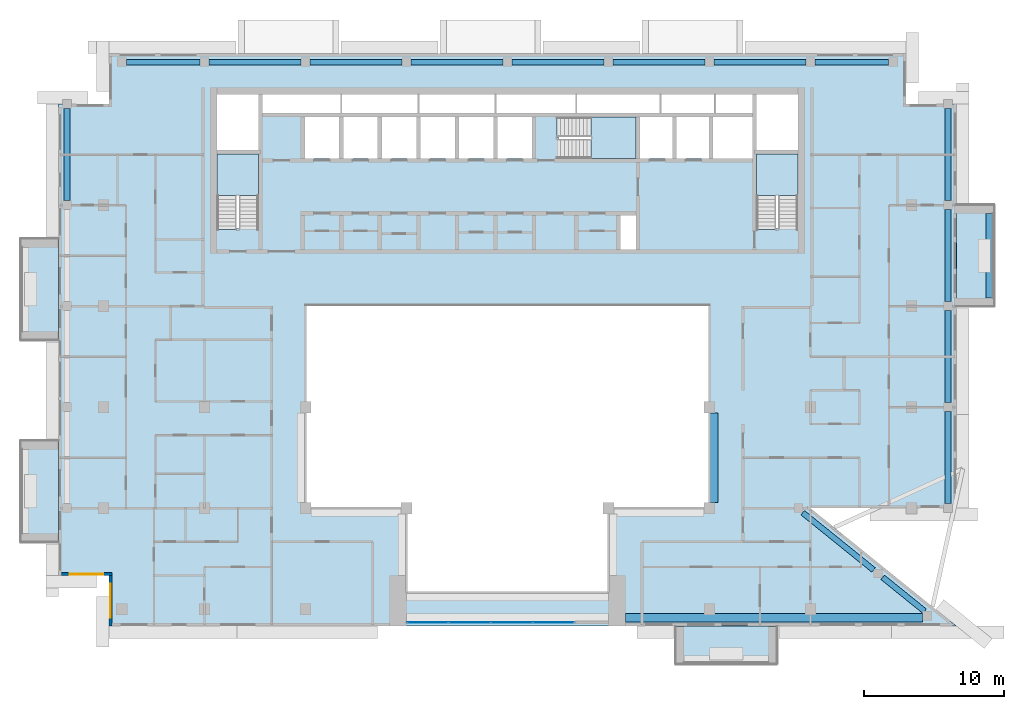
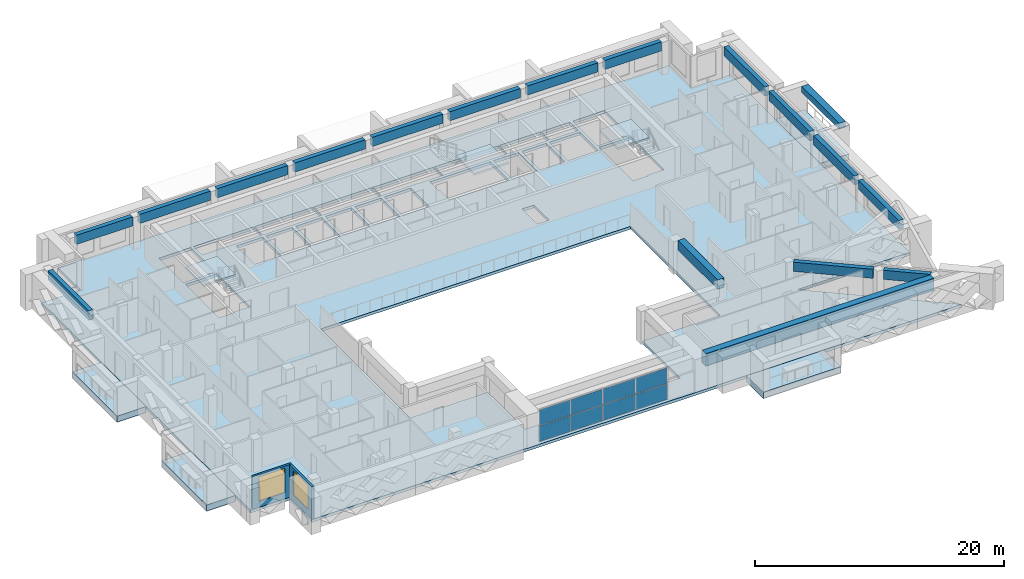
# One storey, part 5 of 19: 18 beams, 8 plates, 8 slabs, 2 walls, 2 windows, 2 openings, 4 elements without a shape of their own.
"""IFC4 building model written with IfcOpenShell, lengths in metres."""

from ifc_helpers import new_model, si_unit, direction, frame, frame_2d, origin, origin_2d, place, context, subcontext, project, spatial, polyline, rectangle, outline, extrude, source, transform, mapped, material, layer, layer_set, material_profile, profile_set, type_object, element, fill, aggregate, save


model = new_model("IFC4")

# Units and contexts
model_context = context("Model", 3, precision=1e-05, world=origin(), true_north=direction((0.0, 1.0)))
body_context = subcontext(model_context, "Body", "Model", "MODEL_VIEW")
ifc_project = project(units=[si_unit("LENGTHUNIT", "METRE"), si_unit("AREAUNIT", "SQUARE_METRE"), si_unit("VOLUMEUNIT", "CUBIC_METRE"), si_unit("PLANEANGLEUNIT", "RADIAN"), si_unit("MASSUNIT", "GRAM", prefix="KILO")], contexts=[model_context])

# Site, building, storey
site_placement = place(None, origin())
site = spatial("IfcSite", under=ifc_project, at=site_placement, CompositionType="ELEMENT")
building_placement = place(site_placement, origin())
building = spatial("IfcBuilding", under=site, at=building_placement, Name="Saffron Iwan Residences", CompositionType="ELEMENT")
storey_placement = place(building_placement, frame((0.0, 0.0, 250.0)))
storey = spatial("IfcBuildingStorey", under=building, at=storey_placement, Name="L67", CompositionType="ELEMENT", Elevation=250.0)

# Beams
ifc_material_1 = material(Name="Concrete C40/50", Category="concrete")
ifc_material_profile_1 = material_profile(ifc_material_1, rectangle(XDim=0.39990234375, YDim=0.89990234375, at=origin_2d()), Name="RC 400x900")
ifc_profile_set_1 = profile_set([ifc_material_profile_1], Name="Concrete C40/50")
beam_type_1 = type_object("IfcBeamType", Name="SPANDREL BEAM RC 400x900 C40/50 TOP 3220", PredefinedType="SPANDREL", material=ifc_profile_set_1)
shared_shape_1 = source(origin(), body_context, "Body", "SweptSolid", [
    extrude(rectangle(XDim=0.39990234375, YDim=0.89990234375, at=origin_2d()), origin(), (0.0, 0.0, 1.0), 3.839599609375),
])
beam_1_placement = place(storey_placement, frame((77.14794921875, 43.07080078125, 2.77001953125), z_axis=(0.777944766372, -0.628332667044, 0.0), x_axis=(0.628332667044, 0.777944766372, 0.0)))
element("IfcBeam", 1, at=beam_1_placement, inside=storey, type_object=beam_type_1, Name="Spandrel beam", PredefinedType="SPANDREL", context=body_context, shape_type="MappedRepresentation", body=[
    mapped(shared_shape_1, transform((0.0, 0.0, 0.0))),
])
shared_shape_2 = source(origin(), body_context, "Body", "SweptSolid", [
    extrude(rectangle(XDim=0.39990234375, YDim=0.89990234375, at=origin_2d()), origin(), (0.0, 0.0, 1.0), 6.4921875),
])
beam_2_placement = place(storey_placement, frame((71.447509765625, 47.675048828125, 2.77001953125), z_axis=(0.777936231257, -0.628343234305, 0.0), x_axis=(0.628343234305, 0.777936231257, 0.0)))
element("IfcBeam", 2, at=beam_2_placement, inside=storey, type_object=beam_type_1, Name="Spandrel beam", PredefinedType="SPANDREL", context=body_context, shape_type="MappedRepresentation", body=[
    mapped(shared_shape_2, transform((0.0, 0.0, 0.0))),
])
shared_shape_3 = source(origin(), body_context, "Body", "SweptSolid", [
    extrude(rectangle(XDim=0.39990234375, YDim=0.89990234375, at=origin_2d()), origin(), (0.0, 0.0, 1.0), 6.550048828125),
])
for number, where, z_axis, x_axis, name in (
    (3, (81.800048828125, 54.875, 2.77001953125), (0.0, -1.0, 0.0), (1.0, 0.0, 0.0), "Spandrel beam"),
    (4, (81.800048828125, 62.074951171875, 2.77001953125), (0.0, -1.0, 0.0), (1.0, 0.0, 0.0), "Spandrel beam"),
    (5, (19.0, 69.925048828125, 2.77001953125), (0.0, 1.0, 0.0), (-1.0, 0.0, 0.0), "Spandrel beam"),
    (6, (81.800048828125, 76.47509765625, 2.77001953125), (0.0, -1.0, 0.0), (1.0, 0.0, 0.0), "Spandrel beam"),
    (7, (29.125, 79.800048828125, 2.77001953125), (1.0, 0.0, 0.0), (0.0, 1.0, 0.0), "Spandrel beam"),
    (8, (36.324951171875, 79.800048828125, 2.77001953125), (1.0, 0.0, 0.0), (0.0, 1.0, 0.0), "Spandrel beam"),
    (9, (43.52490234375, 79.800048828125, 2.77001953125), (1.0, 0.0, 0.0), (0.0, 1.0, 0.0), "Spandrel beam"),
    (10, (57.925048828125, 79.800048828125, 2.77001953125), (1.0, 0.0, 0.0), (0.0, 1.0, 0.0), "Spandrel beam"),
    (11, (65.125, 79.800048828125, 2.77001953125), (1.0, 0.0, 0.0), (0.0, 1.0, 0.0), "Spandrel beam"),
):
    element("IfcBeam", number, at=place(storey_placement, frame(where, z_axis=z_axis, x_axis=x_axis)), inside=storey, type_object=beam_type_1, Name=name, PredefinedType="SPANDREL", context=body_context, shape_type="MappedRepresentation", body=[
        mapped(shared_shape_3, transform((0.0, 0.0, 0.0))),
    ])
shared_shape_4 = source(origin(), body_context, "Body", "SweptSolid", [
    extrude(rectangle(XDim=0.39990234375, YDim=0.89990234375, at=origin_2d()), origin(), (0.0, 0.0, 1.0), 6.5498046875),
])
for number, where, z_axis, x_axis, name in (
    (12, (81.800048828125, 69.27490234375, 2.77001953125), (0.0, -1.0, 0.0), (1.0, 0.0, 0.0), "Spandrel beam"),
    (13, (50.72509765625, 79.800048828125, 2.77001953125), (1.0, 0.0, 0.0), (0.0, 1.0, 0.0), "Spandrel beam"),
):
    element("IfcBeam", number, at=place(storey_placement, frame(where, z_axis=z_axis, x_axis=x_axis)), inside=storey, type_object=beam_type_1, Name=name, PredefinedType="SPANDREL", context=body_context, shape_type="MappedRepresentation", body=[
        mapped(shared_shape_4, transform((0.0, 0.0, 0.0))),
    ])
shared_shape_5 = source(origin(), body_context, "Body", "SweptSolid", [
    extrude(rectangle(XDim=0.39990234375, YDim=0.89990234375, at=origin_2d()), origin(), (0.0, 0.0, 1.0), 5.25),
])
for number, where, z_axis, x_axis, name in (
    (14, (23.22509765625, 79.800048828125, 2.77001953125), (1.0, 0.0, 0.0), (0.0, 1.0, 0.0), "Spandrel beam"),
    (15, (72.324951171875, 79.800048828125, 2.77001953125), (1.0, 0.0, 0.0), (0.0, 1.0, 0.0), "Spandrel beam"),
):
    element("IfcBeam", number, at=place(storey_placement, frame(where, z_axis=z_axis, x_axis=x_axis)), inside=storey, type_object=beam_type_1, Name=name, PredefinedType="SPANDREL", context=body_context, shape_type="MappedRepresentation", body=[
        mapped(shared_shape_5, transform((0.0, 0.0, 0.0))),
    ])
ifc_material_profile_2 = material_profile(ifc_material_1, rectangle(XDim=0.60009765625, YDim=1.199951171875, at=origin_2d()), Name="RC 600x1200")
ifc_profile_set_2 = profile_set([ifc_material_profile_2], Name="Concrete C40/50")
beam_type_2 = type_object("IfcBeamType", Name="LINTEL BEAM RC 600x1200 C40/50 TOP 3220", PredefinedType="LINTEL", material=ifc_profile_set_2)
shared_shape_6 = source(origin(), body_context, "Body", "SweptSolid", [
    extrude(rectangle(XDim=0.60009765625, YDim=1.199951171875, at=origin_2d()), origin(), (0.0, 0.0, 1.0), 21.20068359375),
])
beam_3_placement = place(storey_placement, frame((80.000732421875, 40.199951171875, 2.6201171875), z_axis=(-1.0, 0.0, 0.0), x_axis=(0.0, -1.0, 0.0)))
element("IfcBeam", 16, at=beam_3_placement, inside=storey, type_object=beam_type_2, Name="Lintel beam over the iwan", PredefinedType="LINTEL", context=body_context, shape_type="MappedRepresentation", body=[
    mapped(shared_shape_6, transform((0.0, 0.0, 0.0))),
])
ifc_material_profile_3 = material_profile(ifc_material_1, rectangle(XDim=0.60009765625, YDim=0.89990234375, at=origin_2d()), Name="RC 600x900")
ifc_profile_set_3 = profile_set([ifc_material_profile_3], Name="Concrete C40/50")
beam_type_3 = type_object("IfcBeamType", Name="BEAM RC 600x900 C40/50 TOP 3220", PredefinedType="BEAM", material=ifc_profile_set_3)
shared_shape_7 = source(origin(), body_context, "Body", "SweptSolid", [
    extrude(rectangle(XDim=0.60009765625, YDim=0.89990234375, at=origin_2d()), origin(), (0.0, 0.0, 1.0), 6.400146484375),
])
beam_4_placement = place(storey_placement, frame((65.10009765625, 54.800048828125, 2.77001953125), z_axis=(0.0, -1.0, 0.0), x_axis=(1.0, 0.0, 0.0)))
element("IfcBeam", 17, at=beam_4_placement, inside=storey, type_object=beam_type_3, Name="Atrium edge beam", PredefinedType="BEAM", context=body_context, shape_type="MappedRepresentation", body=[
    mapped(shared_shape_7, transform((0.0, 0.0, 0.0))),
])
ifc_material_2 = material(Name="Concrete C50/60 white painted", Category="concrete")
ifc_material_profile_4 = material_profile(ifc_material_2, rectangle(XDim=0.60009765625, YDim=0.60009765625, at=origin_2d()), Name="BALCONY FASCIA BEAM 600 x 600")
ifc_profile_set_4 = profile_set([ifc_material_profile_4], Name="Concrete C50/60 white painted")
beam_type_4 = type_object("IfcBeamType", Name="BALCONY FASCIA BEAM 600 x 600", PredefinedType="BEAM", material=ifc_profile_set_4)
shared_shape_8 = source(origin(), body_context, "Body", "SweptSolid", [
    extrude(rectangle(XDim=0.60009765625, YDim=0.60009765625, at=origin_2d()), origin(), (0.0, 0.0, 1.0), 6.0),
])
beam_5_placement = place(storey_placement, frame((84.800048828125, 63.0, 2.550048828125), z_axis=(0.0, 1.0, 0.0), x_axis=(-1.0, 0.0, 0.0)))
element("IfcBeam", 18, at=beam_5_placement, inside=storey, type_object=beam_type_4, Name="Balcony fascia beam L67 F2-0", PredefinedType="BEAM", context=body_context, shape_type="MappedRepresentation", body=[
    mapped(shared_shape_8, transform((0.0, 0.0, 0.0))),
])

# Slabs
ifc_layer_1 = layer(ifc_material_2, 0.60009765625)
ifc_layer_set_1 = layer_set([ifc_layer_1], Name="Concrete C50/60 white painted")
slab_type_1 = type_object("IfcSlabType", Name="BALCONY FRAME SLAB 600", PredefinedType="FLOOR", material=ifc_layer_set_1)
slab_1_placement = place(storey_placement, frame((0.0, 0.0, -0.60009765625)))
element("IfcSlab", 19, at=slab_1_placement, inside=storey, type_object=slab_type_1, Name="Balcony frame slab L67 F2-0", PredefinedType="FLOOR", context=body_context, shape_type="SweptSolid", body=[
    extrude(outline(polyline([(85.10009765625, 62.39990234375), (85.10009765625, 69.60009765625), (82.39990234375, 69.60009765625), (82.39990234375, 62.39990234375), (85.10009765625, 62.39990234375)])), origin(), (0.0, 0.0, 1.0), 0.60009765625),
])
slab_2_placement = place(storey_placement, frame((0.0, 0.0, -0.60009765625)))
element("IfcSlab", 20, at=slab_2_placement, inside=storey, type_object=slab_type_1, Name="Balcony frame slab L67 F8-0", PredefinedType="FLOOR", context=body_context, shape_type="SweptSolid", body=[
    extrude(outline(polyline([(15.699951171875, 67.199951171875), (15.699951171875, 60.0), (18.39990234375, 60.0), (18.39990234375, 67.199951171875), (15.699951171875, 67.199951171875)])), origin(), (0.0, 0.0, 1.0), 0.60009765625),
])
slab_3_placement = place(storey_placement, frame((0.0, 0.0, -0.60009765625)))
element("IfcSlab", 21, at=slab_3_placement, inside=storey, type_object=slab_type_1, Name="Balcony frame slab L67 F8-1", PredefinedType="FLOOR", context=body_context, shape_type="SweptSolid", body=[
    extrude(outline(polyline([(15.699951171875, 52.800048828125), (15.699951171875, 45.60009765625), (18.39990234375, 45.60009765625), (18.39990234375, 52.800048828125), (15.699951171875, 52.800048828125)])), origin(), (0.0, 0.0, 1.0), 0.60009765625),
])
slab_4_placement = place(storey_placement, frame((0.0, 0.0, -0.60009765625)))
element("IfcSlab", 22, at=slab_4_placement, inside=storey, type_object=slab_type_1, Name="Balcony frame slab L67 11-1", PredefinedType="FLOOR", context=body_context, shape_type="SweptSolid", body=[
    extrude(outline(polyline([(62.39990234375, 36.89990234375), (69.60009765625, 36.89990234375), (69.60009765625, 39.60009765625), (62.39990234375, 39.60009765625), (62.39990234375, 36.89990234375)])), origin(), (0.0, 0.0, 1.0), 0.60009765625),
])
ifc_layer_2 = layer(ifc_material_1, 0.280029296875)
ifc_layer_set_2 = layer_set([ifc_layer_2], Name="Concrete C40/50")
slab_type_2 = type_object("IfcSlabType", Name="PT PLATE 280 C40/50", PredefinedType="FLOOR", material=ifc_layer_set_2)
slab_5_placement = place(storey_placement, frame((0.0, 0.0, -0.280029296875)))
element("IfcSlab", 23, at=slab_5_placement, inside=storey, type_object=slab_type_2, Name="Floor slab L67", PredefinedType="FLOOR", context=body_context, shape_type="SweptSolid", body=[
    extrude(outline(polyline([(18.39990234375, 43.199951171875), (18.39990234375, 76.800048828125), (22.0, 76.800048828125), (22.0, 80.39990234375), (78.800048828125, 80.39990234375), (78.800048828125, 76.800048828125), (82.39990234375, 76.800048828125), (82.39990234375, 48.0), (72.0, 48.0), (82.39990234375, 39.60009765625), (22.0, 39.60009765625), (22.0, 43.199951171875), (18.39990234375, 43.199951171875)]), holes=[polyline([(64.800048828125, 48.0), (64.800048828125, 62.39990234375), (36.0, 62.39990234375), (36.0, 48.0), (43.199951171875, 48.0), (43.199951171875, 42.0), (57.60009765625, 42.0), (57.60009765625, 48.0), (64.800048828125, 48.0)]), polyline([(29.699951171875, 73.25), (29.699951171875, 67.949951171875), (29.699951171875, 67.8505859375), (31.10009765625, 67.8505859375), (31.10009765625, 67.949951171875), (32.64990234375, 67.949951171875), (32.64990234375, 73.25), (29.699951171875, 73.25)]), polyline([(38.39990234375, 75.875), (35.949951171875, 75.875), (35.949951171875, 72.925048828125), (38.39990234375, 72.925048828125), (38.39990234375, 75.875)]), polyline([(41.14990234375, 75.875), (38.699951171875, 75.875), (38.699951171875, 72.925048828125), (41.14990234375, 72.925048828125), (41.14990234375, 75.875)]), polyline([(43.89990234375, 72.925048828125), (43.89990234375, 75.875), (41.449951171875, 75.875), (41.449951171875, 72.925048828125), (43.89990234375, 72.925048828125)]), polyline([(46.64990234375, 72.925048828125), (46.64990234375, 75.875), (44.199951171875, 75.875), (44.199951171875, 72.925048828125), (46.64990234375, 72.925048828125)]), polyline([(49.39990234375, 75.875), (46.949951171875, 75.875), (46.949951171875, 72.925048828125), (49.39990234375, 72.925048828125), (49.39990234375, 75.875)]), polyline([(52.14990234375, 72.925048828125), (52.14990234375, 75.875), (49.699951171875, 75.875), (49.699951171875, 72.925048828125), (52.14990234375, 72.925048828125)]), polyline([(32.64990234375, 73.550048828125), (32.64990234375, 77.5), (29.699951171875, 77.5), (29.699951171875, 73.550048828125), (32.64990234375, 73.550048828125)]), polyline([(38.5, 77.5), (32.949951171875, 77.5), (32.949951171875, 76.175048828125), (38.5, 76.175048828125), (38.5, 77.5)]), polyline([(44.0, 76.175048828125), (44.0, 77.5), (38.60009765625, 77.5), (38.60009765625, 76.175048828125), (44.0, 76.175048828125)]), polyline([(49.5, 76.175048828125), (49.5, 77.5), (44.10009765625, 77.5), (44.10009765625, 76.175048828125), (49.5, 76.175048828125)]), polyline([(59.550048828125, 68.875), (58.449951171875, 68.875), (58.449951171875, 66.449951171875), (59.550048828125, 66.449951171875), (59.550048828125, 68.875)]), polyline([(68.14990234375, 73.25), (68.14990234375, 67.949951171875), (68.14990234375, 67.8505859375), (69.550048828125, 67.8505859375), (69.550048828125, 67.949951171875), (71.10009765625, 67.949951171875), (71.10009765625, 73.25), (68.14990234375, 73.25)]), polyline([(54.02490234375, 74.47509765625), (54.02490234375, 72.925048828125), (59.550048828125, 72.925048828125), (59.550048828125, 75.875), (54.02490234375, 75.875), (53.925537109375, 75.875), (53.925537109375, 74.47509765625), (54.02490234375, 74.47509765625)]), polyline([(62.14990234375, 72.925048828125), (62.14990234375, 75.875), (59.85009765625, 75.875), (59.85009765625, 72.925048828125), (62.14990234375, 72.925048828125)]), polyline([(64.75, 72.925048828125), (64.75, 75.875), (62.449951171875, 75.875), (62.449951171875, 72.925048828125), (64.75, 72.925048828125)]), polyline([(67.85009765625, 75.875), (65.050048828125, 75.875), (65.050048828125, 72.925048828125), (67.85009765625, 72.925048828125), (67.85009765625, 75.875)]), polyline([(71.10009765625, 73.550048828125), (71.10009765625, 77.5), (68.14990234375, 77.5), (68.14990234375, 73.550048828125), (71.10009765625, 73.550048828125)]), polyline([(55.25, 76.175048828125), (55.25, 77.5), (49.60009765625, 77.5), (49.60009765625, 76.175048828125), (55.25, 76.175048828125)]), polyline([(61.25, 77.5), (55.35009765625, 77.5), (55.35009765625, 76.175048828125), (61.25, 76.175048828125), (61.25, 77.5)]), polyline([(65.14990234375, 76.175048828125), (65.14990234375, 77.5), (61.35009765625, 77.5), (61.35009765625, 76.175048828125), (65.14990234375, 76.175048828125)]), polyline([(67.85009765625, 76.175048828125), (67.85009765625, 77.5), (65.25, 77.5), (65.25, 76.175048828125), (67.85009765625, 76.175048828125)])]), origin(), (0.0, 0.0, 1.0), 0.280029296875),
])

# Stair, slab
ifc_material_3 = material(Name="Concrete C50/60", Category="concrete")
stair_type = type_object("IfcStairType", Name="Stair ST-CORE", PredefinedType="HALF_TURN_STAIR", material=ifc_material_3)
stair_1_placement = place(storey_placement, origin())
stair_1 = element("IfcStair", 24, at=stair_1_placement, inside=storey, type_object=stair_type, Name="L67 Exit Stair ST-W", PredefinedType="HALF_TURN_STAIR")
ifc_layer_3 = layer(ifc_material_3, 0.199951171875)
ifc_layer_set_3 = layer_set([ifc_layer_3], Name="Concrete C50/60")
slab_type_3 = type_object("IfcSlabType", Name="Stair landing SL-RC", PredefinedType="LANDING", material=ifc_layer_set_3)
slab_6_placement = place(storey_placement, frame((0.0, 0.0, 1.5498046875)))
slab_6 = element("IfcSlab", 25, at=slab_6_placement, type_object=slab_type_3, Name="ST-W landing 1", PredefinedType="LANDING", context=body_context, shape_type="SweptSolid", body=[
    extrude(outline(polyline([(32.64990234375, 70.280029296875), (32.64990234375, 73.25), (29.699951171875, 73.25), (29.699951171875, 70.280029296875), (32.64990234375, 70.280029296875)])), origin(), (0.0, 0.0, 1.0), 0.2001953125),
])
aggregate(stair_1, [slab_6])

stair_2_placement = place(storey_placement, origin())
stair_2 = element("IfcStair", 26, at=stair_2_placement, inside=storey, type_object=stair_type, Name="L67 Exit Stair ST-C", PredefinedType="HALF_TURN_STAIR")
slab_7_placement = place(storey_placement, frame((0.0, 0.0, 1.5498046875)))
slab_7 = element("IfcSlab", 27, at=slab_7_placement, type_object=slab_type_3, Name="ST-C landing 1", PredefinedType="LANDING", context=body_context, shape_type="SweptSolid", body=[
    extrude(outline(polyline([(56.35498046875, 72.925048828125), (59.550048828125, 72.925048828125), (59.550048828125, 75.875), (56.35498046875, 75.875), (56.35498046875, 72.925048828125)])), origin(), (0.0, 0.0, 1.0), 0.2001953125),
])
aggregate(stair_2, [slab_7])

stair_3_placement = place(storey_placement, origin())
stair_3 = element("IfcStair", 28, at=stair_3_placement, inside=storey, type_object=stair_type, Name="L67 Exit Stair ST-E", PredefinedType="HALF_TURN_STAIR")
slab_8_placement = place(storey_placement, frame((0.0, 0.0, 1.5498046875)))
slab_8 = element("IfcSlab", 29, at=slab_8_placement, type_object=slab_type_3, Name="ST-E landing 1", PredefinedType="LANDING", context=body_context, shape_type="SweptSolid", body=[
    extrude(outline(polyline([(71.10009765625, 70.280029296875), (71.10009765625, 73.25), (68.14990234375, 73.25), (68.14990234375, 70.280029296875), (71.10009765625, 70.280029296875)])), origin(), (0.0, 0.0, 1.0), 0.2001953125),
])
aggregate(stair_3, [slab_8])

# Curtain wall, plates
ifc_material_4 = material(Name="Clear glass, laminated double glazed", Category="glass")
ifc_layer_4 = layer(ifc_material_4, 0.199951171875)
ifc_layer_set_4 = layer_set([ifc_layer_4], Name="Clear glass, laminated double glazed")
curtain_wall_type = type_object("IfcCurtainWallType", Name="CW-B IWAN PORTAL", PredefinedType="NOTDEFINED", material=ifc_layer_set_4)
curtain_wall_placement = place(storey_placement, origin())
curtain_wall = element("IfcCurtainWall", 30, at=curtain_wall_placement, inside=storey, type_object=curtain_wall_type, Name="Iwan portal glazing L67.1", PredefinedType="NOTDEFINED")
ifc_layer_5 = layer(ifc_material_4, 0.028076171875)
ifc_layer_set_5 = layer_set([ifc_layer_5], Name="Clear glass, laminated double glazed")
plate_type = type_object("IfcPlateType", Name="CW-B PANEL 28", PredefinedType="CURTAIN_PANEL", material=ifc_layer_set_5)
shared_shape_9 = source(origin(), body_context, "Body", "SweptSolid", [
    extrude(rectangle(XDim=2.909912109375, YDim=0.028076171875, at=origin_2d()), origin(), (0.0, 0.0, 1.0), 1.52001953125),
])
plate_1_placement = place(storey_placement, frame((44.715087890625, 39.85009765625, 0.06005859375), z_axis=(0.0, 0.0, 1.0), x_axis=(1.0, 0.0, 0.0)))
plate_1 = element("IfcPlate", 31, at=plate_1_placement, type_object=plate_type, Name="CW-B panel 1.1", PredefinedType="CURTAIN_PANEL", context=body_context, shape_type="MappedRepresentation", body=[
    mapped(shared_shape_9, transform((0.0, 0.0, 0.0))),
])
plate_2_placement = place(storey_placement, frame((44.715087890625, 39.85009765625, 1.639892578125), z_axis=(0.0, 0.0, 1.0), x_axis=(1.0, 0.0, 0.0)))
plate_2 = element("IfcPlate", 32, at=plate_2_placement, type_object=plate_type, Name="CW-B panel 1.2", PredefinedType="CURTAIN_PANEL", context=body_context, shape_type="MappedRepresentation", body=[
    mapped(shared_shape_9, transform((0.0, 0.0, 0.0))),
])
plate_3_placement = place(storey_placement, frame((53.68505859375, 39.85009765625, 0.06005859375), z_axis=(0.0, 0.0, 1.0), x_axis=(1.0, 0.0, 0.0)))
plate_3 = element("IfcPlate", 33, at=plate_3_placement, type_object=plate_type, Name="CW-B panel 4.1", PredefinedType="CURTAIN_PANEL", context=body_context, shape_type="MappedRepresentation", body=[
    mapped(shared_shape_9, transform((0.0, 0.0, 0.0))),
])
plate_4_placement = place(storey_placement, frame((53.68505859375, 39.85009765625, 1.639892578125), z_axis=(0.0, 0.0, 1.0), x_axis=(1.0, 0.0, 0.0)))
plate_4 = element("IfcPlate", 34, at=plate_4_placement, type_object=plate_type, Name="CW-B panel 4.2", PredefinedType="CURTAIN_PANEL", context=body_context, shape_type="MappedRepresentation", body=[
    mapped(shared_shape_9, transform((0.0, 0.0, 0.0))),
])
shared_shape_10 = source(origin(), body_context, "Body", "SweptSolid", [
    extrude(rectangle(XDim=2.93994140625, YDim=0.028076171875, at=origin_2d()), origin(), (0.0, 0.0, 1.0), 1.52001953125),
])
plate_5_placement = place(storey_placement, frame((47.699951171875, 39.85009765625, 0.06005859375), z_axis=(0.0, 0.0, 1.0), x_axis=(1.0, 0.0, 0.0)))
plate_5 = element("IfcPlate", 35, at=plate_5_placement, type_object=plate_type, Name="CW-B panel 2.1", PredefinedType="CURTAIN_PANEL", context=body_context, shape_type="MappedRepresentation", body=[
    mapped(shared_shape_10, transform((0.0, 0.0, 0.0))),
])
plate_6_placement = place(storey_placement, frame((47.699951171875, 39.85009765625, 1.639892578125), z_axis=(0.0, 0.0, 1.0), x_axis=(1.0, 0.0, 0.0)))
plate_6 = element("IfcPlate", 36, at=plate_6_placement, type_object=plate_type, Name="CW-B panel 2.2", PredefinedType="CURTAIN_PANEL", context=body_context, shape_type="MappedRepresentation", body=[
    mapped(shared_shape_10, transform((0.0, 0.0, 0.0))),
])
plate_7_placement = place(storey_placement, frame((50.699951171875, 39.85009765625, 0.06005859375), z_axis=(0.0, 0.0, 1.0), x_axis=(1.0, 0.0, 0.0)))
plate_7 = element("IfcPlate", 37, at=plate_7_placement, type_object=plate_type, Name="CW-B panel 3.1", PredefinedType="CURTAIN_PANEL", context=body_context, shape_type="MappedRepresentation", body=[
    mapped(shared_shape_10, transform((0.0, 0.0, 0.0))),
])
plate_8_placement = place(storey_placement, frame((50.699951171875, 39.85009765625, 1.639892578125), z_axis=(0.0, 0.0, 1.0), x_axis=(1.0, 0.0, 0.0)))
plate_8 = element("IfcPlate", 38, at=plate_8_placement, type_object=plate_type, Name="CW-B panel 3.2", PredefinedType="CURTAIN_PANEL", context=body_context, shape_type="MappedRepresentation", body=[
    mapped(shared_shape_10, transform((0.0, 0.0, 0.0))),
])
aggregate(curtain_wall, [plate_1, plate_2, plate_5, plate_6, plate_7, plate_8, plate_3, plate_4])

# Wall, opening, window
ifc_layer_6 = layer(ifc_material_1, 0.199951171875)
ifc_layer_set_6 = layer_set([ifc_layer_6], Name="Concrete C40/50")
wall_type = type_object("IfcWallType", Name="EXTERNAL WALL 200", PredefinedType="SOLIDWALL", material=ifc_layer_set_6)
wall_1_placement = place(storey_placement, frame((18.60009765625, 43.300048828125, 0.0), z_axis=(0.0, 0.0, 1.0), x_axis=(1.0, 0.0, 0.0)))
wall_1 = element("IfcWall", 39, at=wall_1_placement, inside=storey, type_object=wall_type, Name="External wall L67 F9.0", PredefinedType="SOLIDWALL", context=body_context, shape_type="SweptSolid", body=[
    extrude(rectangle(XDim=3.599853515625, YDim=0.199951171875, at=frame_2d((1.7998046875, 0.0))), origin(), (0.0, 0.0, 1.0), 3.219970703125),
])
opening_1_placement = place(wall_1_placement, frame((0.60009765625, 0.0, 0.60009765625)))
opening_1 = element("IfcOpeningElement", 40, at=opening_1_placement, cuts=wall_1, Name="Opening W1", PredefinedType="OPENING", context=body_context, shape_type="SweptSolid", body=[
    extrude(rectangle(XDim=2.39990234375, YDim=2.39990234375, at=frame_2d((1.199951171875, 1.199951171875))), frame((0.0, 0.10986328125, 0.0), z_axis=(0.0, -1.0, 0.0), x_axis=(1.0, 0.0, 0.0)), (0.0, 0.0, 1.0), 0.219970703125),
])
window_type = type_object("IfcWindowType", Name="WINDOW 2400 x 2400", PartitioningType="DOUBLE_PANEL_VERTICAL", PredefinedType="WINDOW", material=ifc_material_4)
window_1_placement = place(opening_1_placement, origin())
window_1 = element("IfcWindow", 41, at=window_1_placement, inside=storey, type_object=window_type, Name="Window L67 F9.0", OverallHeight=2.39990234375, OverallWidth=2.39990234375, PartitioningType="DOUBLE_PANEL_VERTICAL", PredefinedType="WINDOW", context=body_context, shape_type="SweptSolid", body=[
    extrude(rectangle(XDim=2.39990234375, YDim=2.39990234375, at=frame_2d((1.199951171875, 1.199951171875))), frame((0.0, 0.030029296875, 0.0), z_axis=(0.0, -1.0, 0.0), x_axis=(1.0, 0.0, 0.0)), (0.0, 0.0, 1.0), 0.06005859375),
])
fill(opening_1, window_1)

wall_2_placement = place(storey_placement, frame((22.10009765625, 43.199951171875, 0.0), z_axis=(0.0, 0.0, 1.0), x_axis=(0.0, -1.0, 0.0)))
wall_2 = element("IfcWall", 42, at=wall_2_placement, inside=storey, type_object=wall_type, Name="External wall L67 F10.0", PredefinedType="SOLIDWALL", context=body_context, shape_type="SweptSolid", body=[
    extrude(rectangle(XDim=3.599853515625, YDim=0.199951171875, at=frame_2d((1.7998046875, 0.0))), origin(), (0.0, 0.0, 1.0), 3.219970703125),
])
opening_2_placement = place(wall_2_placement, frame((0.60009765625, 0.0, 0.60009765625)))
opening_2 = element("IfcOpeningElement", 43, at=opening_2_placement, cuts=wall_2, Name="Opening W1", PredefinedType="OPENING", context=body_context, shape_type="SweptSolid", body=[
    extrude(rectangle(XDim=2.39990234375, YDim=2.39990234375, at=frame_2d((1.199951171875, 1.199951171875))), frame((0.0, 0.10986328125, 0.0), z_axis=(0.0, -1.0, 0.0), x_axis=(1.0, 0.0, 0.0)), (0.0, 0.0, 1.0), 0.219970703125),
])
window_2_placement = place(opening_2_placement, origin())
window_2 = element("IfcWindow", 44, at=window_2_placement, inside=storey, type_object=window_type, Name="Window L67 F10.0", OverallHeight=2.39990234375, OverallWidth=2.39990234375, PartitioningType="DOUBLE_PANEL_VERTICAL", PredefinedType="WINDOW", context=body_context, shape_type="SweptSolid", body=[
    extrude(rectangle(XDim=2.39990234375, YDim=2.39990234375, at=frame_2d((1.199951171875, 1.199951171875))), frame((0.0, 0.030029296875, 0.0), z_axis=(0.0, -1.0, 0.0), x_axis=(1.0, 0.0, 0.0)), (0.0, 0.0, 1.0), 0.06005859375),
])
fill(opening_2, window_2)

save(model, "model.ifc")
